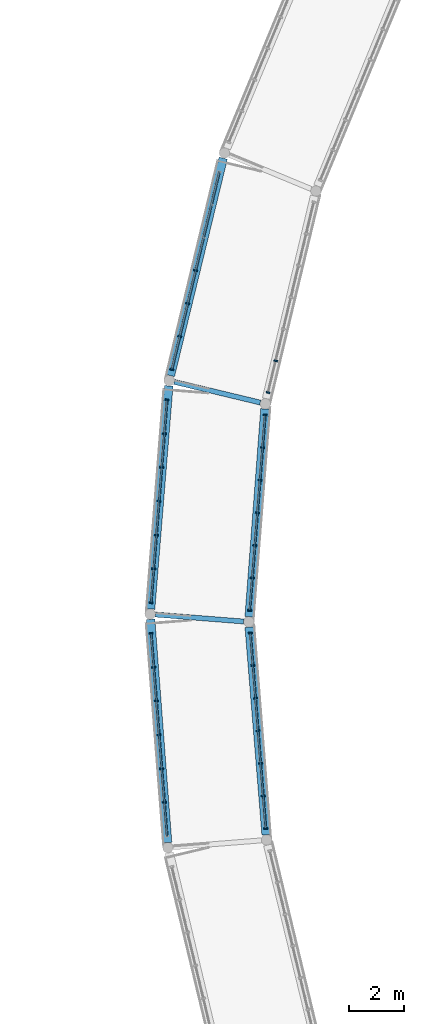
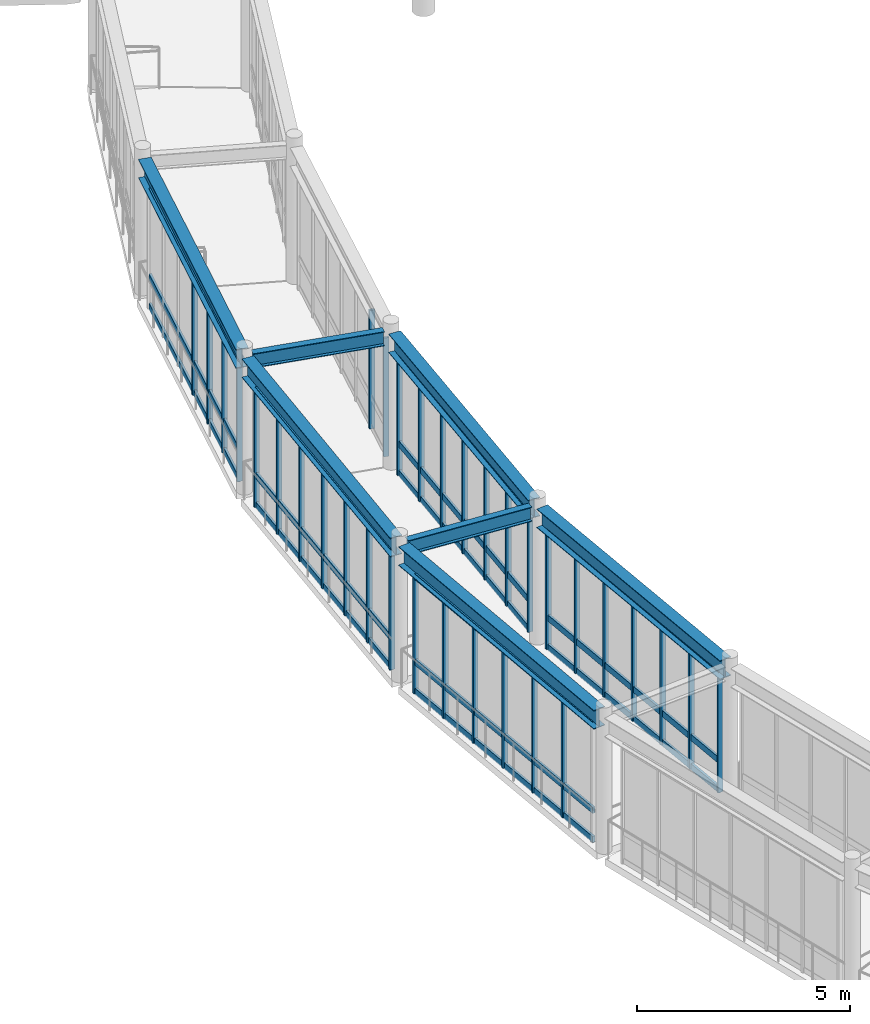
# One storey, part 26 of 80: 48 members, 7 beams, 6 elements without a shape of their own.
"""IFC4 building model written with IfcOpenShell, lengths in metres."""

from ifc_helpers import new_model, si_unit, direction, frame, origin, origin_2d, place, context, subcontext, project, spatial, rectangle, i_section, extrude, material, layer, layer_set, material_profile, profile_set, type_object, element, aggregate, save


model = new_model("IFC4")

# Units and contexts
model_context = context("Model", 3, precision=1e-05, world=origin(), true_north=direction((0.0, 1.0)))
body_context = subcontext(model_context, "Body", "Model", "MODEL_VIEW")
ifc_project = project(units=[si_unit("LENGTHUNIT", "METRE"), si_unit("AREAUNIT", "SQUARE_METRE"), si_unit("VOLUMEUNIT", "CUBIC_METRE"), si_unit("PLANEANGLEUNIT", "RADIAN"), si_unit("MASSUNIT", "GRAM", prefix="KILO")], contexts=[model_context])

# Site, building, storey
site_placement = place(None, origin())
site = spatial("IfcSite", under=ifc_project, at=site_placement, CompositionType="ELEMENT")
building_placement = place(site_placement, origin())
building = spatial("IfcBuilding", under=site, at=building_placement, Name="Aldenvaro Health Centre", CompositionType="ELEMENT")
storey_placement = place(building_placement, frame((0.0, 0.0, 4.550048828125)))
storey = spatial("IfcBuildingStorey", under=building, at=storey_placement, Name="L01", CompositionType="ELEMENT", Elevation=4.550048828125)

# Beams
ifc_material_1 = material(Name="Steel ASTM A992 Grade 50", Category="steel")
ifc_material_profile_1 = material_profile(ifc_material_1, i_section(OverallWidth=0.180908203125, OverallDepth=0.4169921875, WebThickness=0.010986328125, FlangeThickness=0.018310546875, at=origin_2d()), Name="W16X57", Category="steel")
ifc_profile_set_1 = profile_set([ifc_material_profile_1], Name="Steel ASTM A992 Grade 50")
beam_type_1 = type_object("IfcBeamType", Name="BM-ST-W16E", PredefinedType="JOIST", material=ifc_profile_set_1)
beam_1_placement = place(storey_placement, frame((146.2109375, 66.8369140625, 3.740966796875), z_axis=(-0.972314968694, 0.233674135612, 0.0), x_axis=(-0.233674135612, -0.972314968694, 0.0)))
element("IfcBeam", 1, at=beam_1_placement, inside=storey, type_object=beam_type_1, Name="East Curved Garden Colonnade Arc 3 L01 cross beam 2", PredefinedType="JOIST", context=body_context, shape_type="SweptSolid", body=[
    extrude(i_section(OverallWidth=0.180908203125, OverallDepth=0.4169921875, WebThickness=0.010986328125, FlangeThickness=0.018310546875, at=origin_2d()), origin(), (0.0, 0.0, 1.0), 3.218994140625),
])
beam_2_placement = place(storey_placement, frame((145.60498046875, 58.8740234375, 3.740966796875), z_axis=(-0.99693374028, 0.078250351382, 0.0), x_axis=(-0.078250351382, -0.99693374028, 0.0)))
element("IfcBeam", 2, at=beam_2_placement, inside=storey, type_object=beam_type_1, Name="East Curved Garden Colonnade Arc 4 L01 cross beam 2", PredefinedType="JOIST", context=body_context, shape_type="SweptSolid", body=[
    extrude(i_section(OverallWidth=0.180908203125, OverallDepth=0.4169921875, WebThickness=0.010986328125, FlangeThickness=0.018310546875, at=origin_2d()), origin(), (0.0, 0.0, 1.0), 3.2197265625),
])
ifc_material_profile_2 = material_profile(ifc_material_1, i_section(OverallWidth=0.31201171875, OverallDepth=0.54296875, WebThickness=0.0126953125, FlangeThickness=0.020263671875, at=origin_2d()), Name="W21X101", Category="steel")
ifc_profile_set_2 = profile_set([ifc_material_profile_2], Name="Steel ASTM A992 Grade 50")
beam_type_2 = type_object("IfcBeamType", Name="BM-ST-W21E", PredefinedType="BEAM", material=ifc_profile_set_2)
beam_3_placement = place(storey_placement, frame((144.862060546875, 75.72705078125, 3.678955078125), z_axis=(-0.236043863437, -0.971742401326, 0.0), x_axis=(0.971742401326, -0.236043863437, 0.0)))
element("IfcBeam", 3, at=beam_3_placement, inside=storey, type_object=beam_type_2, Name="East Curved Garden Colonnade Arc 3 L01 girder R-1", PredefinedType="BEAM", context=body_context, shape_type="SweptSolid", body=[
    extrude(i_section(OverallWidth=0.31201171875, OverallDepth=0.54296875, WebThickness=0.0126953125, FlangeThickness=0.020263671875, at=origin_2d()), origin(), (0.0, 0.0, 1.0), 8.138916015625),
])
beam_4_placement = place(storey_placement, frame((146.382080078125, 66.60400390625, 3.678955078125), z_axis=(-0.075745452708, -0.997127186669, 0.0), x_axis=(0.997127186669, -0.075745452708, 0.0)))
element("IfcBeam", 4, at=beam_4_placement, inside=storey, type_object=beam_type_2, Name="East Curved Garden Colonnade Arc 4 L01 girder L-1", PredefinedType="BEAM", context=body_context, shape_type="SweptSolid", body=[
    extrude(i_section(OverallWidth=0.31201171875, OverallDepth=0.54296875, WebThickness=0.0126953125, FlangeThickness=0.020263671875, at=origin_2d()), origin(), (0.0, 0.0, 1.0), 7.57763671875),
])
beam_5_placement = place(storey_placement, frame((142.881103515625, 67.444091796875, 3.678955078125), z_axis=(-0.081092062235, -0.996706615531, 0.0), x_axis=(0.996706615531, -0.081092062235, 0.0)))
element("IfcBeam", 5, at=beam_5_placement, inside=storey, type_object=beam_type_2, Name="East Curved Garden Colonnade Arc 4 L01 girder R-1", PredefinedType="BEAM", context=body_context, shape_type="SweptSolid", body=[
    extrude(i_section(OverallWidth=0.31201171875, OverallDepth=0.54296875, WebThickness=0.0126953125, FlangeThickness=0.020263671875, at=origin_2d()), origin(), (0.0, 0.0, 1.0), 8.140869140625),
])
beam_6_placement = place(storey_placement, frame((145.80908203125, 58.669921875, 3.678955078125), z_axis=(0.081282980075, -0.996691064046, 0.0), x_axis=(0.996691064046, 0.081282980075, 0.0)))
element("IfcBeam", 6, at=beam_6_placement, inside=storey, type_object=beam_type_2, Name="East Curved Garden Colonnade Arc 5 L01 girder L-1", PredefinedType="BEAM", context=body_context, shape_type="SweptSolid", body=[
    extrude(i_section(OverallWidth=0.31201171875, OverallDepth=0.54296875, WebThickness=0.0126953125, FlangeThickness=0.020263671875, at=origin_2d()), origin(), (0.0, 0.0, 1.0), 7.578125),
])
beam_7_placement = place(storey_placement, frame((142.219970703125, 58.951904296875, 3.678955078125), z_axis=(0.075907531925, -0.997114861286, 0.0), x_axis=(0.997114861286, 0.075907531925, 0.0)))
element("IfcBeam", 7, at=beam_7_placement, inside=storey, type_object=beam_type_2, Name="East Curved Garden Colonnade Arc 5 L01 girder R-1", PredefinedType="BEAM", context=body_context, shape_type="SweptSolid", body=[
    extrude(i_section(OverallWidth=0.31201171875, OverallDepth=0.54296875, WebThickness=0.0126953125, FlangeThickness=0.020263671875, at=origin_2d()), origin(), (0.0, 0.0, 1.0), 8.140380859375),
])

# Curtain wall, members
ifc_material_2 = material(Name="Anodised Aluminium 6063-T6", Category="aluminium")
ifc_layer = layer(ifc_material_2, 0.2099609375, Name="Anodised Aluminium 6063-T6", Category="aluminium")
ifc_layer_set = layer_set([ifc_layer], Name="Anodised Aluminium 6063-T6")
curtain_wall_type = type_object("IfcCurtainWallType", Name="CW-BRG-03", PredefinedType="NOTDEFINED", material=ifc_layer_set)
curtain_wall_1_placement = place(storey_placement, origin())
curtain_wall_1 = element("IfcCurtainWall", 8, at=curtain_wall_1_placement, inside=storey, type_object=curtain_wall_type, Name="East Curved Garden Colonnade Arc 3 L01 glazed link wall L-1.1", PredefinedType="NOTDEFINED")
ifc_material_profile_3 = material_profile(ifc_material_2, rectangle(XDim=0.06005859375, YDim=0.135009765625, at=origin_2d()), Name="ALU 60x135", Category="aluminium")
ifc_profile_set_3 = profile_set([ifc_material_profile_3], Name="Anodised Aluminium 6063-T6")
member_type_1 = type_object("IfcMemberType", Name="CWM-150", PredefinedType="MULLION", material=ifc_profile_set_3)
member_1_placement = place(storey_placement, frame((146.77197265625, 68.35595703125, 0.0), z_axis=(0.0, 0.0, 1.0), x_axis=(-0.233611743879, -0.972329961033, 0.0)))
member_1 = element("IfcMember", 9, at=member_1_placement, type_object=member_type_1, Name="East Curved Garden Colonnade Arc 3 L01 glazed link wall L-1.1 mullion 6", PredefinedType="MULLION", context=body_context, shape_type="SweptSolid", body=[
    extrude(rectangle(XDim=0.06005859375, YDim=0.135009765625, at=origin_2d()), origin(), (0.0, 0.0, 1.0), 3.409912109375),
])
member_2_placement = place(storey_placement, frame((146.493896484375, 67.200927734375, 0.0), z_axis=(0.0, 0.0, 1.0), x_axis=(-0.233611743879, -0.972329961033, 0.0)))
member_2 = element("IfcMember", 10, at=member_2_placement, type_object=member_type_1, Name="East Curved Garden Colonnade Arc 3 L01 glazed link wall L-1.1 mullion 7", PredefinedType="MULLION", context=body_context, shape_type="SweptSolid", body=[
    extrude(rectangle(XDim=0.06005859375, YDim=0.135009765625, at=origin_2d()), origin(), (0.0, 0.0, 1.0), 3.409912109375),
])
aggregate(curtain_wall_1, [member_1, member_2])

curtain_wall_2_placement = place(storey_placement, origin())
curtain_wall_2 = element("IfcCurtainWall", 11, at=curtain_wall_2_placement, inside=storey, type_object=curtain_wall_type, Name="East Curved Garden Colonnade Arc 3 L01 glazed link wall R-1.1", PredefinedType="NOTDEFINED")
member_3_placement = place(storey_placement, frame((143.85791015625, 71.637939453125, 0.0), z_axis=(0.0, 0.0, 1.0), x_axis=(-0.233587677429, -0.972335742917, 0.0)))
member_3 = element("IfcMember", 12, at=member_3_placement, type_object=member_type_1, Name="East Curved Garden Colonnade Arc 3 L01 glazed link wall R-1.1 mullion 4", PredefinedType="MULLION", context=body_context, shape_type="SweptSolid", body=[
    extrude(rectangle(XDim=0.06005859375, YDim=0.135009765625, at=origin_2d()), origin(), (0.0, 0.0, 1.0), 3.409912109375),
])
member_4_placement = place(storey_placement, frame((143.570068359375, 70.43994140625, 0.0), z_axis=(0.0, 0.0, 1.0), x_axis=(-0.233587677429, -0.972335742917, 0.0)))
member_4 = element("IfcMember", 13, at=member_4_placement, type_object=member_type_1, Name="East Curved Garden Colonnade Arc 3 L01 glazed link wall R-1.1 mullion 5", PredefinedType="MULLION", context=body_context, shape_type="SweptSolid", body=[
    extrude(rectangle(XDim=0.06005859375, YDim=0.135009765625, at=origin_2d()), origin(), (0.0, 0.0, 1.0), 3.409912109375),
])
member_5_placement = place(storey_placement, frame((143.281982421875, 69.240966796875, 0.0), z_axis=(0.0, 0.0, 1.0), x_axis=(-0.233587677429, -0.972335742917, 0.0)))
member_5 = element("IfcMember", 14, at=member_5_placement, type_object=member_type_1, Name="East Curved Garden Colonnade Arc 3 L01 glazed link wall R-1.1 mullion 6", PredefinedType="MULLION", context=body_context, shape_type="SweptSolid", body=[
    extrude(rectangle(XDim=0.06005859375, YDim=0.135009765625, at=origin_2d()), origin(), (0.0, 0.0, 1.0), 3.409912109375),
])
member_6_placement = place(storey_placement, frame((142.993896484375, 68.0419921875, 0.0), z_axis=(0.0, 0.0, 1.0), x_axis=(-0.233587677429, -0.972335742917, 0.0)))
member_6 = element("IfcMember", 15, at=member_6_placement, type_object=member_type_1, Name="East Curved Garden Colonnade Arc 3 L01 glazed link wall R-1.1 mullion 7", PredefinedType="MULLION", context=body_context, shape_type="SweptSolid", body=[
    extrude(rectangle(XDim=0.06005859375, YDim=0.135009765625, at=origin_2d()), origin(), (0.0, 0.0, 1.0), 3.409912109375),
])

curtain_wall_3_placement = place(storey_placement, origin())
curtain_wall_3 = element("IfcCurtainWall", 16, at=curtain_wall_3_placement, inside=storey, type_object=curtain_wall_type, Name="East Curved Garden Colonnade Arc 4 L01 glazed link wall L-1.1", PredefinedType="NOTDEFINED")
member_7_placement = place(storey_placement, frame((146.385986328125, 66.383056640625, 0.0), z_axis=(0.0, 0.0, 1.0), x_axis=(-0.078434604756, -0.996919260912, 0.0)))
member_7 = element("IfcMember", 17, at=member_7_placement, type_object=member_type_1, Name="East Curved Garden Colonnade Arc 4 L01 glazed link wall L-1.1 mullion 1", PredefinedType="MULLION", context=body_context, shape_type="SweptSolid", body=[
    extrude(rectangle(XDim=0.06005859375, YDim=0.135009765625, at=origin_2d()), origin(), (0.0, 0.0, 1.0), 3.409912109375),
])
member_8_placement = place(storey_placement, frame((146.29296875, 65.198974609375, 0.0), z_axis=(0.0, 0.0, 1.0), x_axis=(-0.078434604756, -0.996919260912, 0.0)))
member_8 = element("IfcMember", 18, at=member_8_placement, type_object=member_type_1, Name="East Curved Garden Colonnade Arc 4 L01 glazed link wall L-1.1 mullion 2", PredefinedType="MULLION", context=body_context, shape_type="SweptSolid", body=[
    extrude(rectangle(XDim=0.06005859375, YDim=0.135009765625, at=origin_2d()), origin(), (0.0, 0.0, 1.0), 3.409912109375),
])
member_9_placement = place(storey_placement, frame((146.199951171875, 64.014892578125, 0.0), z_axis=(0.0, 0.0, 1.0), x_axis=(-0.078434604756, -0.996919260912, 0.0)))
member_9 = element("IfcMember", 19, at=member_9_placement, type_object=member_type_1, Name="East Curved Garden Colonnade Arc 4 L01 glazed link wall L-1.1 mullion 3", PredefinedType="MULLION", context=body_context, shape_type="SweptSolid", body=[
    extrude(rectangle(XDim=0.06005859375, YDim=0.135009765625, at=origin_2d()), origin(), (0.0, 0.0, 1.0), 3.409912109375),
])
member_10_placement = place(storey_placement, frame((146.10595703125, 62.8310546875, 0.0), z_axis=(0.0, 0.0, 1.0), x_axis=(-0.078434604756, -0.996919260912, 0.0)))
member_10 = element("IfcMember", 20, at=member_10_placement, type_object=member_type_1, Name="East Curved Garden Colonnade Arc 4 L01 glazed link wall L-1.1 mullion 4", PredefinedType="MULLION", context=body_context, shape_type="SweptSolid", body=[
    extrude(rectangle(XDim=0.06005859375, YDim=0.135009765625, at=origin_2d()), origin(), (0.0, 0.0, 1.0), 3.409912109375),
])
member_11_placement = place(storey_placement, frame((146.012939453125, 61.64599609375, 0.0), z_axis=(0.0, 0.0, 1.0), x_axis=(-0.078434604756, -0.996919260912, 0.0)))
member_11 = element("IfcMember", 21, at=member_11_placement, type_object=member_type_1, Name="East Curved Garden Colonnade Arc 4 L01 glazed link wall L-1.1 mullion 5", PredefinedType="MULLION", context=body_context, shape_type="SweptSolid", body=[
    extrude(rectangle(XDim=0.06005859375, YDim=0.135009765625, at=origin_2d()), origin(), (0.0, 0.0, 1.0), 3.409912109375),
])
member_12_placement = place(storey_placement, frame((145.919921875, 60.4619140625, 0.0), z_axis=(0.0, 0.0, 1.0), x_axis=(-0.078434604756, -0.996919260912, 0.0)))
member_12 = element("IfcMember", 22, at=member_12_placement, type_object=member_type_1, Name="East Curved Garden Colonnade Arc 4 L01 glazed link wall L-1.1 mullion 6", PredefinedType="MULLION", context=body_context, shape_type="SweptSolid", body=[
    extrude(rectangle(XDim=0.06005859375, YDim=0.135009765625, at=origin_2d()), origin(), (0.0, 0.0, 1.0), 3.409912109375),
])
member_13_placement = place(storey_placement, frame((145.826904296875, 59.278076171875, 0.0), z_axis=(0.0, 0.0, 1.0), x_axis=(-0.078434604756, -0.996919260912, 0.0)))
member_13 = element("IfcMember", 23, at=member_13_placement, type_object=member_type_1, Name="East Curved Garden Colonnade Arc 4 L01 glazed link wall L-1.1 mullion 7", PredefinedType="MULLION", context=body_context, shape_type="SweptSolid", body=[
    extrude(rectangle(XDim=0.06005859375, YDim=0.135009765625, at=origin_2d()), origin(), (0.0, 0.0, 1.0), 3.409912109375),
])

curtain_wall_4_placement = place(storey_placement, origin())
curtain_wall_4 = element("IfcCurtainWall", 24, at=curtain_wall_4_placement, inside=storey, type_object=curtain_wall_type, Name="East Curved Garden Colonnade Arc 4 L01 glazed link wall R-1.1", PredefinedType="NOTDEFINED")
member_14_placement = place(storey_placement, frame((142.819091796875, 66.93505859375, 0.0), z_axis=(0.0, 0.0, 1.0), x_axis=(-0.078536330505, -0.996911252214, 0.0)))
member_14 = element("IfcMember", 25, at=member_14_placement, type_object=member_type_1, Name="East Curved Garden Colonnade Arc 4 L01 glazed link wall R-1.1 mullion 1", PredefinedType="MULLION", context=body_context, shape_type="SweptSolid", body=[
    extrude(rectangle(XDim=0.06005859375, YDim=0.135009765625, at=origin_2d()), origin(), (0.0, 0.0, 1.0), 3.409912109375),
])
member_15_placement = place(storey_placement, frame((142.721923828125, 65.7060546875, 0.0), z_axis=(0.0, 0.0, 1.0), x_axis=(-0.078536330505, -0.996911252214, 0.0)))
member_15 = element("IfcMember", 26, at=member_15_placement, type_object=member_type_1, Name="East Curved Garden Colonnade Arc 4 L01 glazed link wall R-1.1 mullion 2", PredefinedType="MULLION", context=body_context, shape_type="SweptSolid", body=[
    extrude(rectangle(XDim=0.06005859375, YDim=0.135009765625, at=origin_2d()), origin(), (0.0, 0.0, 1.0), 3.409912109375),
])
member_16_placement = place(storey_placement, frame((142.625, 64.47705078125, 0.0), z_axis=(0.0, 0.0, 1.0), x_axis=(-0.078536330505, -0.996911252214, 0.0)))
member_16 = element("IfcMember", 27, at=member_16_placement, type_object=member_type_1, Name="East Curved Garden Colonnade Arc 4 L01 glazed link wall R-1.1 mullion 3", PredefinedType="MULLION", context=body_context, shape_type="SweptSolid", body=[
    extrude(rectangle(XDim=0.06005859375, YDim=0.135009765625, at=origin_2d()), origin(), (0.0, 0.0, 1.0), 3.409912109375),
])
member_17_placement = place(storey_placement, frame((142.529052734375, 63.248046875, 0.0), z_axis=(0.0, 0.0, 1.0), x_axis=(-0.078536330505, -0.996911252214, 0.0)))
member_17 = element("IfcMember", 28, at=member_17_placement, type_object=member_type_1, Name="East Curved Garden Colonnade Arc 4 L01 glazed link wall R-1.1 mullion 4", PredefinedType="MULLION", context=body_context, shape_type="SweptSolid", body=[
    extrude(rectangle(XDim=0.06005859375, YDim=0.135009765625, at=origin_2d()), origin(), (0.0, 0.0, 1.0), 3.409912109375),
])
member_18_placement = place(storey_placement, frame((142.431884765625, 62.01806640625, 0.0), z_axis=(0.0, 0.0, 1.0), x_axis=(-0.078536330505, -0.996911252214, 0.0)))
member_18 = element("IfcMember", 29, at=member_18_placement, type_object=member_type_1, Name="East Curved Garden Colonnade Arc 4 L01 glazed link wall R-1.1 mullion 5", PredefinedType="MULLION", context=body_context, shape_type="SweptSolid", body=[
    extrude(rectangle(XDim=0.06005859375, YDim=0.135009765625, at=origin_2d()), origin(), (0.0, 0.0, 1.0), 3.409912109375),
])
member_19_placement = place(storey_placement, frame((142.3349609375, 60.7890625, 0.0), z_axis=(0.0, 0.0, 1.0), x_axis=(-0.078536330505, -0.996911252214, 0.0)))
member_19 = element("IfcMember", 30, at=member_19_placement, type_object=member_type_1, Name="East Curved Garden Colonnade Arc 4 L01 glazed link wall R-1.1 mullion 6", PredefinedType="MULLION", context=body_context, shape_type="SweptSolid", body=[
    extrude(rectangle(XDim=0.06005859375, YDim=0.135009765625, at=origin_2d()), origin(), (0.0, 0.0, 1.0), 3.409912109375),
])
member_20_placement = place(storey_placement, frame((142.238037109375, 59.56005859375, 0.0), z_axis=(0.0, 0.0, 1.0), x_axis=(-0.078536330505, -0.996911252214, 0.0)))
member_20 = element("IfcMember", 31, at=member_20_placement, type_object=member_type_1, Name="East Curved Garden Colonnade Arc 4 L01 glazed link wall R-1.1 mullion 7", PredefinedType="MULLION", context=body_context, shape_type="SweptSolid", body=[
    extrude(rectangle(XDim=0.06005859375, YDim=0.135009765625, at=origin_2d()), origin(), (0.0, 0.0, 1.0), 3.409912109375),
])

curtain_wall_5_placement = place(storey_placement, origin())
curtain_wall_5 = element("IfcCurtainWall", 32, at=curtain_wall_5_placement, inside=storey, type_object=curtain_wall_type, Name="East Curved Garden Colonnade Arc 5 L01 glazed link wall L-1.1", PredefinedType="NOTDEFINED")
member_21_placement = place(storey_placement, frame((145.84912109375, 58.452880859375, 0.0), z_axis=(0.0, 0.0, 1.0), x_axis=(0.078423634857, -0.99692012393, 0.0)))
member_21 = element("IfcMember", 33, at=member_21_placement, type_object=member_type_1, Name="East Curved Garden Colonnade Arc 5 L01 glazed link wall L-1.1 mullion 1", PredefinedType="MULLION", context=body_context, shape_type="SweptSolid", body=[
    extrude(rectangle(XDim=0.06005859375, YDim=0.135009765625, at=origin_2d()), origin(), (0.0, 0.0, 1.0), 3.409912109375),
])
member_22_placement = place(storey_placement, frame((145.94189453125, 57.26904296875, 0.0), z_axis=(0.0, 0.0, 1.0), x_axis=(0.078423634857, -0.99692012393, 0.0)))
member_22 = element("IfcMember", 34, at=member_22_placement, type_object=member_type_1, Name="East Curved Garden Colonnade Arc 5 L01 glazed link wall L-1.1 mullion 2", PredefinedType="MULLION", context=body_context, shape_type="SweptSolid", body=[
    extrude(rectangle(XDim=0.06005859375, YDim=0.135009765625, at=origin_2d()), origin(), (0.0, 0.0, 1.0), 3.409912109375),
])
member_23_placement = place(storey_placement, frame((146.034912109375, 56.083984375, 0.0), z_axis=(0.0, 0.0, 1.0), x_axis=(0.078423634857, -0.99692012393, 0.0)))
member_23 = element("IfcMember", 35, at=member_23_placement, type_object=member_type_1, Name="East Curved Garden Colonnade Arc 5 L01 glazed link wall L-1.1 mullion 3", PredefinedType="MULLION", context=body_context, shape_type="SweptSolid", body=[
    extrude(rectangle(XDim=0.06005859375, YDim=0.135009765625, at=origin_2d()), origin(), (0.0, 0.0, 1.0), 3.409912109375),
])
member_24_placement = place(storey_placement, frame((146.1279296875, 54.89990234375, 0.0), z_axis=(0.0, 0.0, 1.0), x_axis=(0.078423634857, -0.99692012393, 0.0)))
member_24 = element("IfcMember", 36, at=member_24_placement, type_object=member_type_1, Name="East Curved Garden Colonnade Arc 5 L01 glazed link wall L-1.1 mullion 4", PredefinedType="MULLION", context=body_context, shape_type="SweptSolid", body=[
    extrude(rectangle(XDim=0.06005859375, YDim=0.135009765625, at=origin_2d()), origin(), (0.0, 0.0, 1.0), 3.409912109375),
])
member_25_placement = place(storey_placement, frame((146.221923828125, 53.716064453125, 0.0), z_axis=(0.0, 0.0, 1.0), x_axis=(0.078423634857, -0.99692012393, 0.0)))
member_25 = element("IfcMember", 37, at=member_25_placement, type_object=member_type_1, Name="East Curved Garden Colonnade Arc 5 L01 glazed link wall L-1.1 mullion 5", PredefinedType="MULLION", context=body_context, shape_type="SweptSolid", body=[
    extrude(rectangle(XDim=0.06005859375, YDim=0.135009765625, at=origin_2d()), origin(), (0.0, 0.0, 1.0), 3.409912109375),
])
member_26_placement = place(storey_placement, frame((146.31494140625, 52.531005859375, 0.0), z_axis=(0.0, 0.0, 1.0), x_axis=(0.078423634857, -0.99692012393, 0.0)))
member_26 = element("IfcMember", 38, at=member_26_placement, type_object=member_type_1, Name="East Curved Garden Colonnade Arc 5 L01 glazed link wall L-1.1 mullion 6", PredefinedType="MULLION", context=body_context, shape_type="SweptSolid", body=[
    extrude(rectangle(XDim=0.06005859375, YDim=0.135009765625, at=origin_2d()), origin(), (0.0, 0.0, 1.0), 3.409912109375),
])
member_27_placement = place(storey_placement, frame((146.407958984375, 51.346923828125, 0.0), z_axis=(0.0, 0.0, 1.0), x_axis=(0.078423634857, -0.99692012393, 0.0)))
member_27 = element("IfcMember", 39, at=member_27_placement, type_object=member_type_1, Name="East Curved Garden Colonnade Arc 5 L01 glazed link wall L-1.1 mullion 7", PredefinedType="MULLION", context=body_context, shape_type="SweptSolid", body=[
    extrude(rectangle(XDim=0.06005859375, YDim=0.135009765625, at=origin_2d()), origin(), (0.0, 0.0, 1.0), 3.409912109375),
])

curtain_wall_6_placement = place(storey_placement, origin())
curtain_wall_6 = element("IfcCurtainWall", 40, at=curtain_wall_6_placement, inside=storey, type_object=curtain_wall_type, Name="East Curved Garden Colonnade Arc 5 L01 glazed link wall R-1.1", PredefinedType="NOTDEFINED")
member_28_placement = place(storey_placement, frame((142.238037109375, 58.43994140625, 0.0), z_axis=(0.0, 0.0, 1.0), x_axis=(0.078536330505, -0.996911252214, 0.0)))
member_28 = element("IfcMember", 41, at=member_28_placement, type_object=member_type_1, Name="East Curved Garden Colonnade Arc 5 L01 glazed link wall R-1.1 mullion 1", PredefinedType="MULLION", context=body_context, shape_type="SweptSolid", body=[
    extrude(rectangle(XDim=0.06005859375, YDim=0.135009765625, at=origin_2d()), origin(), (0.0, 0.0, 1.0), 3.409912109375),
])
member_29_placement = place(storey_placement, frame((142.3349609375, 57.2109375, 0.0), z_axis=(0.0, 0.0, 1.0), x_axis=(0.078536330505, -0.996911252214, 0.0)))
member_29 = element("IfcMember", 42, at=member_29_placement, type_object=member_type_1, Name="East Curved Garden Colonnade Arc 5 L01 glazed link wall R-1.1 mullion 2", PredefinedType="MULLION", context=body_context, shape_type="SweptSolid", body=[
    extrude(rectangle(XDim=0.06005859375, YDim=0.135009765625, at=origin_2d()), origin(), (0.0, 0.0, 1.0), 3.409912109375),
])
member_30_placement = place(storey_placement, frame((142.431884765625, 55.98193359375, 0.0), z_axis=(0.0, 0.0, 1.0), x_axis=(0.078536330505, -0.996911252214, 0.0)))
member_30 = element("IfcMember", 43, at=member_30_placement, type_object=member_type_1, Name="East Curved Garden Colonnade Arc 5 L01 glazed link wall R-1.1 mullion 3", PredefinedType="MULLION", context=body_context, shape_type="SweptSolid", body=[
    extrude(rectangle(XDim=0.06005859375, YDim=0.135009765625, at=origin_2d()), origin(), (0.0, 0.0, 1.0), 3.409912109375),
])
member_31_placement = place(storey_placement, frame((142.529052734375, 54.751953125, 0.0), z_axis=(0.0, 0.0, 1.0), x_axis=(0.078536330505, -0.996911252214, 0.0)))
member_31 = element("IfcMember", 44, at=member_31_placement, type_object=member_type_1, Name="East Curved Garden Colonnade Arc 5 L01 glazed link wall R-1.1 mullion 4", PredefinedType="MULLION", context=body_context, shape_type="SweptSolid", body=[
    extrude(rectangle(XDim=0.06005859375, YDim=0.135009765625, at=origin_2d()), origin(), (0.0, 0.0, 1.0), 3.409912109375),
])
member_32_placement = place(storey_placement, frame((142.625, 53.52294921875, 0.0), z_axis=(0.0, 0.0, 1.0), x_axis=(0.078536330505, -0.996911252214, 0.0)))
member_32 = element("IfcMember", 45, at=member_32_placement, type_object=member_type_1, Name="East Curved Garden Colonnade Arc 5 L01 glazed link wall R-1.1 mullion 5", PredefinedType="MULLION", context=body_context, shape_type="SweptSolid", body=[
    extrude(rectangle(XDim=0.06005859375, YDim=0.135009765625, at=origin_2d()), origin(), (0.0, 0.0, 1.0), 3.409912109375),
])
member_33_placement = place(storey_placement, frame((142.721923828125, 52.2939453125, 0.0), z_axis=(0.0, 0.0, 1.0), x_axis=(0.078536330505, -0.996911252214, 0.0)))
member_33 = element("IfcMember", 46, at=member_33_placement, type_object=member_type_1, Name="East Curved Garden Colonnade Arc 5 L01 glazed link wall R-1.1 mullion 6", PredefinedType="MULLION", context=body_context, shape_type="SweptSolid", body=[
    extrude(rectangle(XDim=0.06005859375, YDim=0.135009765625, at=origin_2d()), origin(), (0.0, 0.0, 1.0), 3.409912109375),
])

# Member
ifc_material_profile_4 = material_profile(ifc_material_2, rectangle(XDim=0.06494140625, YDim=0.179931640625, at=origin_2d()), Name="ALU 65x180", Category="aluminium")
ifc_profile_set_4 = profile_set([ifc_material_profile_4], Name="Anodised Aluminium 6063-T6")
member_type_2 = type_object("IfcMemberType", Name="CWT-150", PredefinedType="USERDEFINED", material=ifc_profile_set_4)
member_34_placement = place(storey_placement, frame((144.721923828125, 75.235107421875, 0.06005859375), z_axis=(-0.233587634054, -0.972335753337, 0.0), x_axis=(0.972335753337, -0.233587634054, 0.0)))
member_34 = element("IfcMember", 47, at=member_34_placement, type_object=member_type_2, Name="East Curved Garden Colonnade Arc 3 L01 glazed link wall R-1.1 transom 1", ObjectType="TRANSOM", PredefinedType="USERDEFINED", context=body_context, shape_type="SweptSolid", body=[
    extrude(rectangle(XDim=0.06494140625, YDim=0.179931640625, at=origin_2d()), origin(), (0.0, 0.0, 1.0), 7.397705078125),
])

member_35_placement = place(storey_placement, frame((144.721923828125, 75.235107421875, 0.89990234375), z_axis=(-0.233587634054, -0.972335753337, 0.0), x_axis=(0.972335753337, -0.233587634054, 0.0)))
member_35 = element("IfcMember", 48, at=member_35_placement, type_object=member_type_2, Name="East Curved Garden Colonnade Arc 3 L01 glazed link wall R-1.1 transom 2", ObjectType="TRANSOM", PredefinedType="USERDEFINED", context=body_context, shape_type="SweptSolid", body=[
    extrude(rectangle(XDim=0.06494140625, YDim=0.179931640625, at=origin_2d()), origin(), (0.0, 0.0, 1.0), 7.397705078125),
])

member_36_placement = place(storey_placement, frame((144.721923828125, 75.235107421875, 3.349853515625), z_axis=(-0.233587634054, -0.972335753337, 0.0), x_axis=(0.972335753337, -0.233587634054, 0.0)))
member_36 = element("IfcMember", 49, at=member_36_placement, type_object=member_type_2, Name="East Curved Garden Colonnade Arc 3 L01 glazed link wall R-1.1 transom 3", ObjectType="TRANSOM", PredefinedType="USERDEFINED", context=body_context, shape_type="SweptSolid", body=[
    extrude(rectangle(XDim=0.06494140625, YDim=0.179931640625, at=origin_2d()), origin(), (0.0, 0.0, 1.0), 7.397705078125),
])

aggregate(curtain_wall_2, [member_3, member_4, member_5, member_6, member_34, member_35, member_36])

member_37_placement = place(storey_placement, frame((146.385986328125, 66.383056640625, 0.06005859375), z_axis=(-0.078446258254, -0.996918343981, 0.0), x_axis=(0.996918343981, -0.078446258254, 0.0)))
member_37 = element("IfcMember", 50, at=member_37_placement, type_object=member_type_2, Name="East Curved Garden Colonnade Arc 4 L01 glazed link wall L-1.1 transom 1", ObjectType="TRANSOM", PredefinedType="USERDEFINED", context=body_context, shape_type="SweptSolid", body=[
    extrude(rectangle(XDim=0.06494140625, YDim=0.179931640625, at=origin_2d()), origin(), (0.0, 0.0, 1.0), 7.126953125),
])

member_38_placement = place(storey_placement, frame((146.385986328125, 66.383056640625, 0.89990234375), z_axis=(-0.078446258254, -0.996918343981, 0.0), x_axis=(0.996918343981, -0.078446258254, 0.0)))
member_38 = element("IfcMember", 51, at=member_38_placement, type_object=member_type_2, Name="East Curved Garden Colonnade Arc 4 L01 glazed link wall L-1.1 transom 2", ObjectType="TRANSOM", PredefinedType="USERDEFINED", context=body_context, shape_type="SweptSolid", body=[
    extrude(rectangle(XDim=0.06494140625, YDim=0.179931640625, at=origin_2d()), origin(), (0.0, 0.0, 1.0), 7.126953125),
])

member_39_placement = place(storey_placement, frame((146.385986328125, 66.383056640625, 3.349853515625), z_axis=(-0.078446258254, -0.996918343981, 0.0), x_axis=(0.996918343981, -0.078446258254, 0.0)))
member_39 = element("IfcMember", 52, at=member_39_placement, type_object=member_type_2, Name="East Curved Garden Colonnade Arc 4 L01 glazed link wall L-1.1 transom 3", ObjectType="TRANSOM", PredefinedType="USERDEFINED", context=body_context, shape_type="SweptSolid", body=[
    extrude(rectangle(XDim=0.06494140625, YDim=0.179931640625, at=origin_2d()), origin(), (0.0, 0.0, 1.0), 7.126953125),
])

aggregate(curtain_wall_3, [member_7, member_8, member_9, member_10, member_11, member_12, member_13, member_37, member_38, member_39])

member_40_placement = place(storey_placement, frame((142.819091796875, 66.93505859375, 0.06005859375), z_axis=(-0.078543677262, -0.996910673412, 0.0), x_axis=(0.996910673412, -0.078543677262, 0.0)))
member_40 = element("IfcMember", 53, at=member_40_placement, type_object=member_type_2, Name="East Curved Garden Colonnade Arc 4 L01 glazed link wall R-1.1 transom 1", ObjectType="TRANSOM", PredefinedType="USERDEFINED", context=body_context, shape_type="SweptSolid", body=[
    extrude(rectangle(XDim=0.06494140625, YDim=0.179931640625, at=origin_2d()), origin(), (0.0, 0.0, 1.0), 7.39794921875),
])

member_41_placement = place(storey_placement, frame((142.819091796875, 66.93505859375, 0.89990234375), z_axis=(-0.078543677262, -0.996910673412, 0.0), x_axis=(0.996910673412, -0.078543677262, 0.0)))
member_41 = element("IfcMember", 54, at=member_41_placement, type_object=member_type_2, Name="East Curved Garden Colonnade Arc 4 L01 glazed link wall R-1.1 transom 2", ObjectType="TRANSOM", PredefinedType="USERDEFINED", context=body_context, shape_type="SweptSolid", body=[
    extrude(rectangle(XDim=0.06494140625, YDim=0.179931640625, at=origin_2d()), origin(), (0.0, 0.0, 1.0), 7.39794921875),
])

member_42_placement = place(storey_placement, frame((142.819091796875, 66.93505859375, 3.349853515625), z_axis=(-0.078543677262, -0.996910673412, 0.0), x_axis=(0.996910673412, -0.078543677262, 0.0)))
member_42 = element("IfcMember", 55, at=member_42_placement, type_object=member_type_2, Name="East Curved Garden Colonnade Arc 4 L01 glazed link wall R-1.1 transom 3", ObjectType="TRANSOM", PredefinedType="USERDEFINED", context=body_context, shape_type="SweptSolid", body=[
    extrude(rectangle(XDim=0.06494140625, YDim=0.179931640625, at=origin_2d()), origin(), (0.0, 0.0, 1.0), 7.39794921875),
])

aggregate(curtain_wall_4, [member_14, member_15, member_16, member_17, member_18, member_19, member_20, member_40, member_41, member_42])

member_43_placement = place(storey_placement, frame((145.84912109375, 58.452880859375, 0.06005859375), z_axis=(0.078401503068, -0.9969218647, 0.0), x_axis=(0.9969218647, 0.078401503068, 0.0)))
member_43 = element("IfcMember", 56, at=member_43_placement, type_object=member_type_2, Name="East Curved Garden Colonnade Arc 5 L01 glazed link wall L-1.1 transom 1", ObjectType="TRANSOM", PredefinedType="USERDEFINED", context=body_context, shape_type="SweptSolid", body=[
    extrude(rectangle(XDim=0.06494140625, YDim=0.179931640625, at=origin_2d()), origin(), (0.0, 0.0, 1.0), 7.1279296875),
])

member_44_placement = place(storey_placement, frame((145.84912109375, 58.452880859375, 0.89990234375), z_axis=(0.078401503068, -0.9969218647, 0.0), x_axis=(0.9969218647, 0.078401503068, 0.0)))
member_44 = element("IfcMember", 57, at=member_44_placement, type_object=member_type_2, Name="East Curved Garden Colonnade Arc 5 L01 glazed link wall L-1.1 transom 2", ObjectType="TRANSOM", PredefinedType="USERDEFINED", context=body_context, shape_type="SweptSolid", body=[
    extrude(rectangle(XDim=0.06494140625, YDim=0.179931640625, at=origin_2d()), origin(), (0.0, 0.0, 1.0), 7.1279296875),
])

member_45_placement = place(storey_placement, frame((145.84912109375, 58.452880859375, 3.349853515625), z_axis=(0.078401503068, -0.9969218647, 0.0), x_axis=(0.9969218647, 0.078401503068, 0.0)))
member_45 = element("IfcMember", 58, at=member_45_placement, type_object=member_type_2, Name="East Curved Garden Colonnade Arc 5 L01 glazed link wall L-1.1 transom 3", ObjectType="TRANSOM", PredefinedType="USERDEFINED", context=body_context, shape_type="SweptSolid", body=[
    extrude(rectangle(XDim=0.06494140625, YDim=0.179931640625, at=origin_2d()), origin(), (0.0, 0.0, 1.0), 7.1279296875),
])

aggregate(curtain_wall_5, [member_21, member_22, member_23, member_24, member_25, member_26, member_27, member_43, member_44, member_45])

member_46_placement = place(storey_placement, frame((142.238037109375, 58.43994140625, 0.06005859375), z_axis=(0.078543677262, -0.996910673412, 0.0), x_axis=(0.996910673412, 0.078543677262, 0.0)))
member_46 = element("IfcMember", 59, at=member_46_placement, type_object=member_type_2, Name="East Curved Garden Colonnade Arc 5 L01 glazed link wall R-1.1 transom 1", ObjectType="TRANSOM", PredefinedType="USERDEFINED", context=body_context, shape_type="SweptSolid", body=[
    extrude(rectangle(XDim=0.06494140625, YDim=0.179931640625, at=origin_2d()), origin(), (0.0, 0.0, 1.0), 7.39794921875),
])

member_47_placement = place(storey_placement, frame((142.238037109375, 58.43994140625, 0.89990234375), z_axis=(0.078543677262, -0.996910673412, 0.0), x_axis=(0.996910673412, 0.078543677262, 0.0)))
member_47 = element("IfcMember", 60, at=member_47_placement, type_object=member_type_2, Name="East Curved Garden Colonnade Arc 5 L01 glazed link wall R-1.1 transom 2", ObjectType="TRANSOM", PredefinedType="USERDEFINED", context=body_context, shape_type="SweptSolid", body=[
    extrude(rectangle(XDim=0.06494140625, YDim=0.179931640625, at=origin_2d()), origin(), (0.0, 0.0, 1.0), 7.39794921875),
])

member_48_placement = place(storey_placement, frame((142.238037109375, 58.43994140625, 3.349853515625), z_axis=(0.078543677262, -0.996910673412, 0.0), x_axis=(0.996910673412, 0.078543677262, 0.0)))
member_48 = element("IfcMember", 61, at=member_48_placement, type_object=member_type_2, Name="East Curved Garden Colonnade Arc 5 L01 glazed link wall R-1.1 transom 3", ObjectType="TRANSOM", PredefinedType="USERDEFINED", context=body_context, shape_type="SweptSolid", body=[
    extrude(rectangle(XDim=0.06494140625, YDim=0.179931640625, at=origin_2d()), origin(), (0.0, 0.0, 1.0), 7.39794921875),
])

aggregate(curtain_wall_6, [member_28, member_29, member_30, member_31, member_32, member_33, member_46, member_47, member_48])

save(model, "model.ifc")
